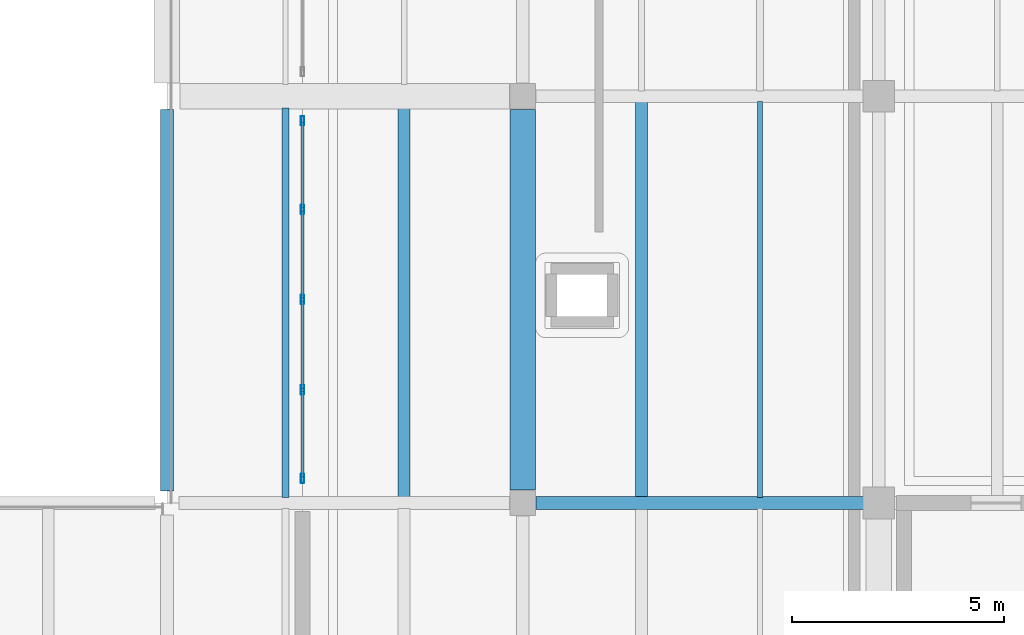
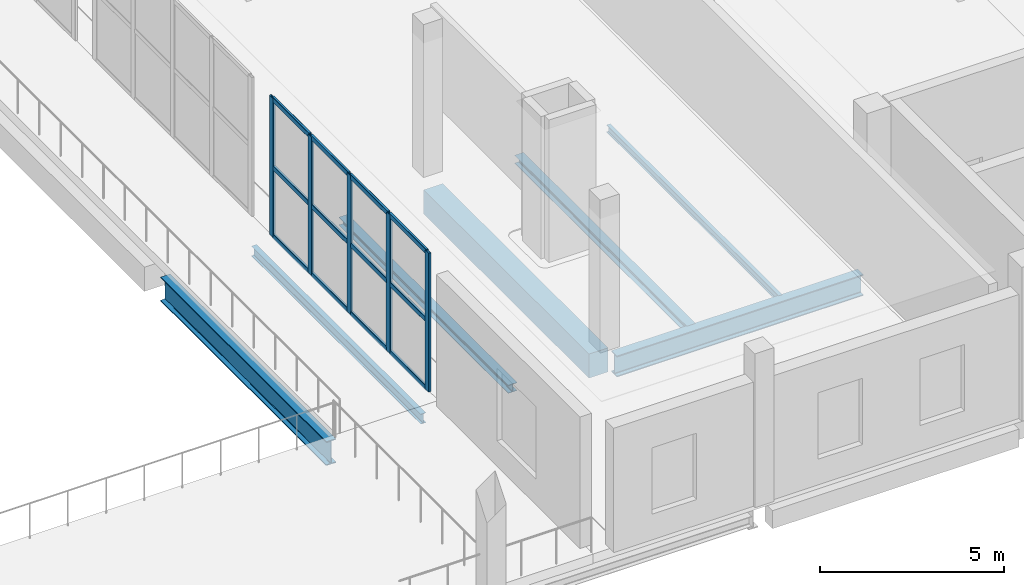
# One storey, part 22 of 77: 17 members, 7 beams, 1 element without a shape of its own.
"""IFC4 building model written with IfcOpenShell, lengths in metres."""

from ifc_helpers import new_model, si_unit, direction, frame, origin, origin_2d, place, context, subcontext, project, spatial, rectangle, hollow_rectangle, i_section, extrude, material, layer, layer_set, material_profile, profile_set, type_object, element, aggregate, save


model = new_model("IFC4")

# Units and contexts
model_context = context("Model", 3, precision=1e-05, world=origin(), true_north=direction((0.0, 1.0)))
body_context = subcontext(model_context, "Body", "Model", "MODEL_VIEW")
ifc_project = project(units=[si_unit("LENGTHUNIT", "METRE"), si_unit("AREAUNIT", "SQUARE_METRE"), si_unit("VOLUMEUNIT", "CUBIC_METRE"), si_unit("PLANEANGLEUNIT", "RADIAN"), si_unit("MASSUNIT", "GRAM", prefix="KILO")], contexts=[model_context])

# Site, building, storey
site_placement = place(None, origin())
site = spatial("IfcSite", under=ifc_project, at=site_placement, CompositionType="ELEMENT")
building_placement = place(site_placement, origin())
building = spatial("IfcBuilding", under=site, at=building_placement, Name="Zulmaris Art Gallery", CompositionType="ELEMENT")
storey_placement = place(building_placement, frame((0.0, 0.0, 15.60009765625)))
storey = spatial("IfcBuildingStorey", under=building, at=storey_placement, Name="L03", CompositionType="ELEMENT", Elevation=15.60009765625)

# Beams
ifc_material_1 = material(Name="Steel S355J2", Category="steel")
ifc_material_profile_1 = material_profile(ifc_material_1, i_section(OverallWidth=0.300048828125, OverallDepth=0.699951171875, WebThickness=0.01708984375, FlangeThickness=0.031982421875, FilletRadius=0.027099609375, at=origin_2d()), Name="HEB 700")
ifc_profile_set_1 = profile_set([ifc_material_profile_1], Name="Steel S355J2")
beam_type_1 = type_object("IfcBeamType", Name="BEAM-BM16", PredefinedType="BEAM", material=ifc_profile_set_1)
beam_1_placement = place(storey_placement, frame((133.510009765625, 21.60009765625, -0.72021484375), z_axis=(1.0, 0.0, 0.0), x_axis=(0.0, 1.0, 0.0)))
element("IfcBeam", 1, at=beam_1_placement, inside=storey, type_object=beam_type_1, Name="L03 X-girder (133.2..141.6, y=21.6)", PredefinedType="BEAM", context=body_context, shape_type="SweptSolid", body=[
    extrude(i_section(OverallWidth=0.300048828125, OverallDepth=0.699951171875, WebThickness=0.01708984375, FlangeThickness=0.031982421875, FilletRadius=0.027099609375, at=origin_2d()), origin(), (0.0, 0.0, 1.0), 7.72998046875),
])
ifc_material_profile_2 = material_profile(ifc_material_1, i_section(OverallWidth=0.300048828125, OverallDepth=0.800048828125, WebThickness=0.017578125, FlangeThickness=0.032958984375, FilletRadius=0.030029296875, at=origin_2d()), Name="HEB 800")
ifc_profile_set_2 = profile_set([ifc_material_profile_2], Name="Steel S355J2")
beam_type_2 = type_object("IfcBeamType", Name="BEAM-BM17", PredefinedType="BEAM", material=ifc_profile_set_2)
beam_2_placement = place(storey_placement, frame((124.800048828125, 21.885009765625, -0.77001953125), z_axis=(0.0, 1.0, 0.0), x_axis=(-1.0, 0.0, 0.0)))
element("IfcBeam", 2, at=beam_2_placement, inside=storey, type_object=beam_type_2, Name="L03 Y-girder (x=124.8, 21.6..31.2)", PredefinedType="BEAM", context=body_context, shape_type="SweptSolid", body=[
    extrude(i_section(OverallWidth=0.300048828125, OverallDepth=0.800048828125, WebThickness=0.017578125, FlangeThickness=0.032958984375, FilletRadius=0.030029296875, at=origin_2d()), origin(), (0.0, 0.0, 1.0), 9.0048828125),
])
ifc_material_2 = material(Name="Concrete C40/50", Category="concrete")
ifc_material_profile_3 = material_profile(ifc_material_2, rectangle(XDim=0.60009765625, YDim=0.800048828125, at=origin_2d()), Name="RC 600x800")
ifc_profile_set_3 = profile_set([ifc_material_profile_3], Name="Concrete C40/50")
beam_type_3 = type_object("IfcBeamType", Name="BEAM-BM27", PredefinedType="BEAM", material=ifc_profile_set_3)
beam_3_placement = place(storey_placement, frame((133.199951171875, 21.909912109375, -0.77001953125), z_axis=(0.0, 1.0, 0.0), x_axis=(-1.0, 0.0, 0.0)))
element("IfcBeam", 3, at=beam_3_placement, inside=storey, type_object=beam_type_3, Name="L03 Y-girder (x=133.2, 21.6..31.2)", PredefinedType="BEAM", context=body_context, shape_type="SweptSolid", body=[
    extrude(rectangle(XDim=0.60009765625, YDim=0.800048828125, at=origin_2d()), origin(), (0.0, 0.0, 1.0), 8.97998046875),
])
ifc_material_profile_4 = material_profile(ifc_material_1, i_section(OverallWidth=0.1201171875, OverallDepth=0.239990234375, WebThickness=0.006103515625, FlangeThickness=0.009765625, FilletRadius=0.014892578125, at=origin_2d()), Name="IPE 240")
ifc_profile_set_4 = profile_set([ifc_material_profile_4], Name="Steel S355J2")
beam_type_4 = type_object("IfcBeamType", Name="BEAM-JS01", PredefinedType="JOIST", material=ifc_profile_set_4)
beam_4_placement = place(storey_placement, frame((138.800048828125, 21.72509765625, -0.489990234375), z_axis=(0.0, 1.0, 0.0), x_axis=(-1.0, 0.0, 0.0)))
element("IfcBeam", 4, at=beam_4_placement, inside=storey, type_object=beam_type_4, Name="L03 secondary joist at x=138.8", PredefinedType="JOIST", context=body_context, shape_type="SweptSolid", body=[
    extrude(i_section(OverallWidth=0.1201171875, OverallDepth=0.239990234375, WebThickness=0.006103515625, FlangeThickness=0.009765625, FilletRadius=0.014892578125, at=origin_2d()), origin(), (0.0, 0.0, 1.0), 9.349853515625),
])
ifc_material_profile_5 = material_profile(ifc_material_1, i_section(OverallWidth=0.159912109375, OverallDepth=0.330078125, WebThickness=0.007568359375, FlangeThickness=0.011474609375, FilletRadius=0.01806640625, at=origin_2d()), Name="IPE 330")
ifc_profile_set_5 = profile_set([ifc_material_profile_5], Name="Steel S355J2")
beam_type_5 = type_object("IfcBeamType", Name="BEAM-JS03", PredefinedType="JOIST", material=ifc_profile_set_5)
beam_5_placement = place(storey_placement, frame((127.60009765625, 21.72509765625, -0.53515625), z_axis=(0.0, 1.0, 0.0), x_axis=(-1.0, 0.0, 0.0)))
element("IfcBeam", 5, at=beam_5_placement, inside=storey, type_object=beam_type_5, Name="L03 secondary joist at x=127.6", PredefinedType="JOIST", context=body_context, shape_type="SweptSolid", body=[
    extrude(i_section(OverallWidth=0.159912109375, OverallDepth=0.330078125, WebThickness=0.007568359375, FlangeThickness=0.011474609375, FilletRadius=0.01806640625, at=origin_2d()), origin(), (0.0, 0.0, 1.0), 9.199951171875),
])
ifc_material_profile_6 = material_profile(ifc_material_1, i_section(OverallWidth=0.280029296875, OverallDepth=0.27001953125, WebThickness=0.008056640625, FlangeThickness=0.012939453125, FilletRadius=0.02392578125, at=origin_2d()), Name="HEA 280")
ifc_profile_set_6 = profile_set([ifc_material_profile_6], Name="Steel S355J2")
beam_type_6 = type_object("IfcBeamType", Name="BEAM-JS04", PredefinedType="JOIST", material=ifc_profile_set_6)
beam_6_placement = place(storey_placement, frame((130.39990234375, 21.72509765625, -0.505126953125), z_axis=(0.0, 1.0, 0.0), x_axis=(-1.0, 0.0, 0.0)))
element("IfcBeam", 6, at=beam_6_placement, inside=storey, type_object=beam_type_6, Name="L03 secondary joist at x=130.4", PredefinedType="JOIST", context=body_context, shape_type="SweptSolid", body=[
    extrude(i_section(OverallWidth=0.280029296875, OverallDepth=0.27001953125, WebThickness=0.008056640625, FlangeThickness=0.012939453125, FilletRadius=0.02392578125, at=origin_2d()), origin(), (0.0, 0.0, 1.0), 9.199951171875),
])
beam_7_placement = place(storey_placement, frame((136.0, 21.72509765625, -0.505126953125), z_axis=(0.0, 1.0, 0.0), x_axis=(-1.0, 0.0, 0.0)))
element("IfcBeam", 7, at=beam_7_placement, inside=storey, type_object=beam_type_6, Name="L03 secondary joist at x=136.0", PredefinedType="JOIST", context=body_context, shape_type="SweptSolid", body=[
    extrude(i_section(OverallWidth=0.280029296875, OverallDepth=0.27001953125, WebThickness=0.008056640625, FlangeThickness=0.012939453125, FilletRadius=0.02392578125, at=origin_2d()), origin(), (0.0, 0.0, 1.0), 9.349853515625),
])

# Curtain wall, members
ifc_material_3 = material(Name="Unitised Low-E Gallery Curtain Wall", Category="aluminium")
ifc_layer = layer(ifc_material_3, 0.179931640625)
ifc_layer_set = layer_set([ifc_layer], Name="Unitised Low-E Gallery Curtain Wall")
curtain_wall_type = type_object("IfcCurtainWallType", Name="CW-CW01", PredefinedType="NOTDEFINED", material=ifc_layer_set)
curtain_wall_placement = place(storey_placement, origin())
curtain_wall = element("IfcCurtainWall", 8, at=curtain_wall_placement, inside=storey, type_object=curtain_wall_type, Name="L03 curtain wall 119", PredefinedType="NOTDEFINED")
ifc_material_4 = material(Name="Anodised Bronze Aluminium", Category="aluminium")
ifc_material_profile_7 = material_profile(ifc_material_4, hollow_rectangle(XDim=0.074951171875, YDim=0.219970703125, WallThickness=0.0048828125, InnerFilletRadius=0.007568359375, OuterFilletRadius=0.012451171875, at=origin_2d()), Name="ALU 75x220x5")
ifc_profile_set_7 = profile_set([ifc_material_profile_7], Name="Anodised Bronze Aluminium")
member_type_1 = type_object("IfcMemberType", Name="CWMUL-02", PredefinedType="MULLION", material=ifc_profile_set_7)
member_1_placement = place(storey_placement, frame((128.0, 22.177490234375, 0.0), z_axis=(0.0, 0.0, 1.0), x_axis=(-1.0, 0.0, 0.0)))
member_1 = element("IfcMember", 9, at=member_1_placement, type_object=member_type_1, Name="CW01 mullion 1", PredefinedType="MULLION", context=body_context, shape_type="SweptSolid", body=[
    extrude(hollow_rectangle(XDim=0.074951171875, YDim=0.219970703125, WallThickness=0.0048828125, InnerFilletRadius=0.007568359375, OuterFilletRadius=0.012451171875, at=origin_2d()), origin(), (0.0, 0.0, 1.0), 4.599853515625),
])
member_2_placement = place(storey_placement, frame((128.0, 24.27001953125, 0.0), z_axis=(0.0, 0.0, 1.0), x_axis=(-1.0, 0.0, 0.0)))
member_2 = element("IfcMember", 10, at=member_2_placement, type_object=member_type_1, Name="CW01 mullion 2", PredefinedType="MULLION", context=body_context, shape_type="SweptSolid", body=[
    extrude(hollow_rectangle(XDim=0.074951171875, YDim=0.219970703125, WallThickness=0.0048828125, InnerFilletRadius=0.007568359375, OuterFilletRadius=0.012451171875, at=origin_2d()), origin(), (0.0, 0.0, 1.0), 4.599853515625),
])
member_3_placement = place(storey_placement, frame((128.0, 26.39990234375, 0.0), z_axis=(0.0, 0.0, 1.0), x_axis=(-1.0, 0.0, 0.0)))
member_3 = element("IfcMember", 11, at=member_3_placement, type_object=member_type_1, Name="CW01 mullion 3", PredefinedType="MULLION", context=body_context, shape_type="SweptSolid", body=[
    extrude(hollow_rectangle(XDim=0.074951171875, YDim=0.219970703125, WallThickness=0.0048828125, InnerFilletRadius=0.007568359375, OuterFilletRadius=0.012451171875, at=origin_2d()), origin(), (0.0, 0.0, 1.0), 4.599853515625),
])
member_4_placement = place(storey_placement, frame((128.0, 28.530029296875, 0.0), z_axis=(0.0, 0.0, 1.0), x_axis=(-1.0, 0.0, 0.0)))
member_4 = element("IfcMember", 12, at=member_4_placement, type_object=member_type_1, Name="CW01 mullion 4", PredefinedType="MULLION", context=body_context, shape_type="SweptSolid", body=[
    extrude(hollow_rectangle(XDim=0.074951171875, YDim=0.219970703125, WallThickness=0.0048828125, InnerFilletRadius=0.007568359375, OuterFilletRadius=0.012451171875, at=origin_2d()), origin(), (0.0, 0.0, 1.0), 4.599853515625),
])
member_5_placement = place(storey_placement, frame((128.0, 30.62255859375, 0.0), z_axis=(0.0, 0.0, 1.0), x_axis=(-1.0, 0.0, 0.0)))
member_5 = element("IfcMember", 13, at=member_5_placement, type_object=member_type_1, Name="CW01 mullion 5", PredefinedType="MULLION", context=body_context, shape_type="SweptSolid", body=[
    extrude(hollow_rectangle(XDim=0.074951171875, YDim=0.219970703125, WallThickness=0.0048828125, InnerFilletRadius=0.007568359375, OuterFilletRadius=0.012451171875, at=origin_2d()), origin(), (0.0, 0.0, 1.0), 4.599853515625),
])
ifc_material_profile_8 = material_profile(ifc_material_4, hollow_rectangle(XDim=0.074951171875, YDim=0.159912109375, WallThickness=0.00390625, InnerFilletRadius=0.006103515625, OuterFilletRadius=0.010009765625, at=origin_2d()), Name="ALU 75x160x4")
ifc_profile_set_8 = profile_set([ifc_material_profile_8], Name="Anodised Bronze Aluminium")
member_type_2 = type_object("IfcMemberType", Name="CWTRN-02", PredefinedType="USERDEFINED", material=ifc_profile_set_8)
member_6_placement = place(storey_placement, frame((128.0, 22.215087890625, 0.037353515625), z_axis=(0.0, 1.0, 0.0), x_axis=(-1.0, 0.0, 0.0)))
member_6 = element("IfcMember", 14, at=member_6_placement, type_object=member_type_2, Name="CW01 transom 1.1", ObjectType="TRANSOM", PredefinedType="USERDEFINED", context=body_context, shape_type="SweptSolid", body=[
    extrude(hollow_rectangle(XDim=0.074951171875, YDim=0.159912109375, WallThickness=0.00390625, InnerFilletRadius=0.006103515625, OuterFilletRadius=0.010009765625, at=origin_2d()), origin(), (0.0, 0.0, 1.0), 2.017333984375),
])
member_7_placement = place(storey_placement, frame((128.0, 22.215087890625, 2.2998046875), z_axis=(0.0, 1.0, 0.0), x_axis=(-1.0, 0.0, 0.0)))
member_7 = element("IfcMember", 15, at=member_7_placement, type_object=member_type_2, Name="CW01 transom 1.2", ObjectType="TRANSOM", PredefinedType="USERDEFINED", context=body_context, shape_type="SweptSolid", body=[
    extrude(hollow_rectangle(XDim=0.074951171875, YDim=0.159912109375, WallThickness=0.00390625, InnerFilletRadius=0.006103515625, OuterFilletRadius=0.010009765625, at=origin_2d()), origin(), (0.0, 0.0, 1.0), 2.017333984375),
])
member_8_placement = place(storey_placement, frame((128.0, 22.215087890625, 4.5625), z_axis=(0.0, 1.0, 0.0), x_axis=(-1.0, 0.0, 0.0)))
member_8 = element("IfcMember", 16, at=member_8_placement, type_object=member_type_2, Name="CW01 transom 1.3", ObjectType="TRANSOM", PredefinedType="USERDEFINED", context=body_context, shape_type="SweptSolid", body=[
    extrude(hollow_rectangle(XDim=0.074951171875, YDim=0.159912109375, WallThickness=0.00390625, InnerFilletRadius=0.006103515625, OuterFilletRadius=0.010009765625, at=origin_2d()), origin(), (0.0, 0.0, 1.0), 2.017333984375),
])
member_9_placement = place(storey_placement, frame((128.0, 24.3076171875, 0.037353515625), z_axis=(0.0, 1.0, 0.0), x_axis=(-1.0, 0.0, 0.0)))
member_9 = element("IfcMember", 17, at=member_9_placement, type_object=member_type_2, Name="CW01 transom 2.1", ObjectType="TRANSOM", PredefinedType="USERDEFINED", context=body_context, shape_type="SweptSolid", body=[
    extrude(hollow_rectangle(XDim=0.074951171875, YDim=0.159912109375, WallThickness=0.00390625, InnerFilletRadius=0.006103515625, OuterFilletRadius=0.010009765625, at=origin_2d()), origin(), (0.0, 0.0, 1.0), 2.054931640625),
])
member_10_placement = place(storey_placement, frame((128.0, 24.3076171875, 2.2998046875), z_axis=(0.0, 1.0, 0.0), x_axis=(-1.0, 0.0, 0.0)))
member_10 = element("IfcMember", 18, at=member_10_placement, type_object=member_type_2, Name="CW01 transom 2.2", ObjectType="TRANSOM", PredefinedType="USERDEFINED", context=body_context, shape_type="SweptSolid", body=[
    extrude(hollow_rectangle(XDim=0.074951171875, YDim=0.159912109375, WallThickness=0.00390625, InnerFilletRadius=0.006103515625, OuterFilletRadius=0.010009765625, at=origin_2d()), origin(), (0.0, 0.0, 1.0), 2.054931640625),
])
member_11_placement = place(storey_placement, frame((128.0, 24.3076171875, 4.5625), z_axis=(0.0, 1.0, 0.0), x_axis=(-1.0, 0.0, 0.0)))
member_11 = element("IfcMember", 19, at=member_11_placement, type_object=member_type_2, Name="CW01 transom 2.3", ObjectType="TRANSOM", PredefinedType="USERDEFINED", context=body_context, shape_type="SweptSolid", body=[
    extrude(hollow_rectangle(XDim=0.074951171875, YDim=0.159912109375, WallThickness=0.00390625, InnerFilletRadius=0.006103515625, OuterFilletRadius=0.010009765625, at=origin_2d()), origin(), (0.0, 0.0, 1.0), 2.054931640625),
])
member_12_placement = place(storey_placement, frame((128.0, 26.4375, 0.037353515625), z_axis=(0.0, 1.0, 0.0), x_axis=(-1.0, 0.0, 0.0)))
member_12 = element("IfcMember", 20, at=member_12_placement, type_object=member_type_2, Name="CW01 transom 3.1", ObjectType="TRANSOM", PredefinedType="USERDEFINED", context=body_context, shape_type="SweptSolid", body=[
    extrude(hollow_rectangle(XDim=0.074951171875, YDim=0.159912109375, WallThickness=0.00390625, InnerFilletRadius=0.006103515625, OuterFilletRadius=0.010009765625, at=origin_2d()), origin(), (0.0, 0.0, 1.0), 2.054931640625),
])
member_13_placement = place(storey_placement, frame((128.0, 26.4375, 2.2998046875), z_axis=(0.0, 1.0, 0.0), x_axis=(-1.0, 0.0, 0.0)))
member_13 = element("IfcMember", 21, at=member_13_placement, type_object=member_type_2, Name="CW01 transom 3.2", ObjectType="TRANSOM", PredefinedType="USERDEFINED", context=body_context, shape_type="SweptSolid", body=[
    extrude(hollow_rectangle(XDim=0.074951171875, YDim=0.159912109375, WallThickness=0.00390625, InnerFilletRadius=0.006103515625, OuterFilletRadius=0.010009765625, at=origin_2d()), origin(), (0.0, 0.0, 1.0), 2.054931640625),
])
member_14_placement = place(storey_placement, frame((128.0, 26.4375, 4.5625), z_axis=(0.0, 1.0, 0.0), x_axis=(-1.0, 0.0, 0.0)))
member_14 = element("IfcMember", 22, at=member_14_placement, type_object=member_type_2, Name="CW01 transom 3.3", ObjectType="TRANSOM", PredefinedType="USERDEFINED", context=body_context, shape_type="SweptSolid", body=[
    extrude(hollow_rectangle(XDim=0.074951171875, YDim=0.159912109375, WallThickness=0.00390625, InnerFilletRadius=0.006103515625, OuterFilletRadius=0.010009765625, at=origin_2d()), origin(), (0.0, 0.0, 1.0), 2.054931640625),
])
member_15_placement = place(storey_placement, frame((128.0, 28.5673828125, 0.037353515625), z_axis=(0.0, 1.0, 0.0), x_axis=(-1.0, 0.0, 0.0)))
member_15 = element("IfcMember", 23, at=member_15_placement, type_object=member_type_2, Name="CW01 transom 4.1", ObjectType="TRANSOM", PredefinedType="USERDEFINED", context=body_context, shape_type="SweptSolid", body=[
    extrude(hollow_rectangle(XDim=0.074951171875, YDim=0.159912109375, WallThickness=0.00390625, InnerFilletRadius=0.006103515625, OuterFilletRadius=0.010009765625, at=origin_2d()), origin(), (0.0, 0.0, 1.0), 2.017578125),
])
member_16_placement = place(storey_placement, frame((128.0, 28.5673828125, 2.2998046875), z_axis=(0.0, 1.0, 0.0), x_axis=(-1.0, 0.0, 0.0)))
member_16 = element("IfcMember", 24, at=member_16_placement, type_object=member_type_2, Name="CW01 transom 4.2", ObjectType="TRANSOM", PredefinedType="USERDEFINED", context=body_context, shape_type="SweptSolid", body=[
    extrude(hollow_rectangle(XDim=0.074951171875, YDim=0.159912109375, WallThickness=0.00390625, InnerFilletRadius=0.006103515625, OuterFilletRadius=0.010009765625, at=origin_2d()), origin(), (0.0, 0.0, 1.0), 2.017578125),
])
member_17_placement = place(storey_placement, frame((128.0, 28.5673828125, 4.5625), z_axis=(0.0, 1.0, 0.0), x_axis=(-1.0, 0.0, 0.0)))
member_17 = element("IfcMember", 25, at=member_17_placement, type_object=member_type_2, Name="CW01 transom 4.3", ObjectType="TRANSOM", PredefinedType="USERDEFINED", context=body_context, shape_type="SweptSolid", body=[
    extrude(hollow_rectangle(XDim=0.074951171875, YDim=0.159912109375, WallThickness=0.00390625, InnerFilletRadius=0.006103515625, OuterFilletRadius=0.010009765625, at=origin_2d()), origin(), (0.0, 0.0, 1.0), 2.017578125),
])
aggregate(curtain_wall, [member_1, member_2, member_3, member_4, member_5, member_6, member_7, member_8, member_9, member_10, member_11, member_12, member_13, member_14, member_15, member_16, member_17])

save(model, "model.ifc")
